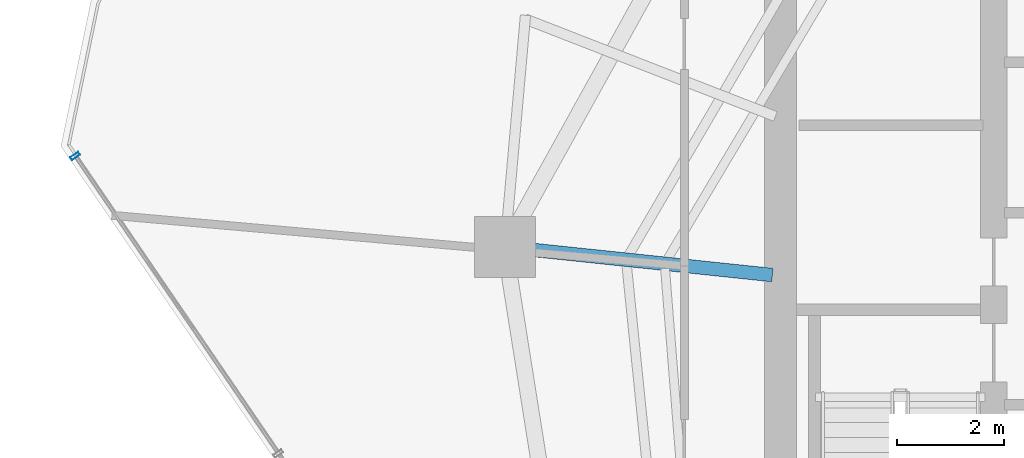
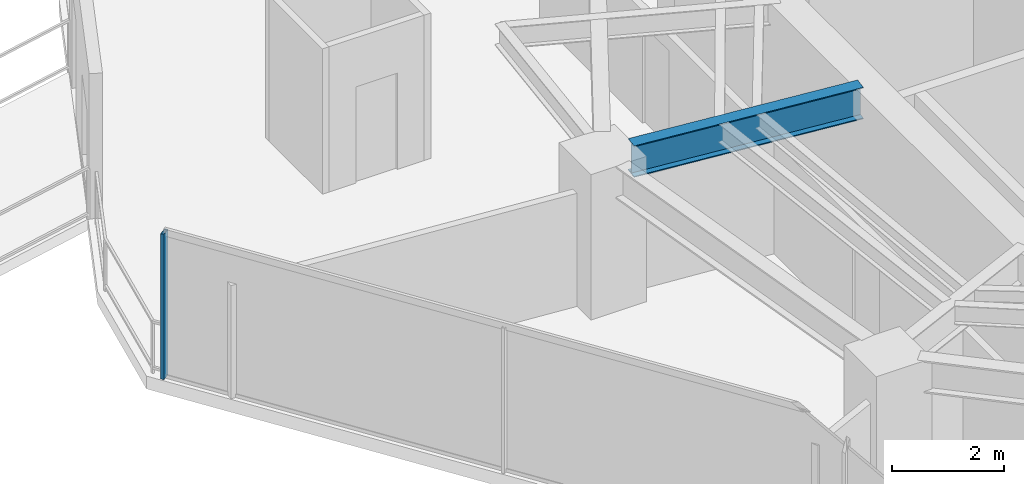
# One storey, part 8 of 30: 1 beam, 1 member, 1 element without a shape of its own.
"""IFC4 building model written with IfcOpenShell, lengths in metres."""

from ifc_helpers import new_model, si_unit, direction, frame, origin, origin_2d, place, context, subcontext, project, spatial, hollow_rectangle, i_section, extrude, material, layer, layer_set, material_profile, profile_set, type_object, element, aggregate, save


model = new_model("IFC4")

# Units and contexts
model_context = context("Model", 3, precision=1e-05, world=origin(), true_north=direction((0.0, 1.0)))
body_context = subcontext(model_context, "Body", "Model", "MODEL_VIEW")
ifc_project = project(units=[si_unit("LENGTHUNIT", "METRE"), si_unit("AREAUNIT", "SQUARE_METRE"), si_unit("VOLUMEUNIT", "CUBIC_METRE"), si_unit("PLANEANGLEUNIT", "RADIAN"), si_unit("MASSUNIT", "GRAM", prefix="KILO")], contexts=[model_context])

# Site, building, storey
site_placement = place(None, origin())
site = spatial("IfcSite", under=ifc_project, at=site_placement, CompositionType="ELEMENT")
building_placement = place(site_placement, origin())
building = spatial("IfcBuilding", under=site, at=building_placement, Name="Qarnah Convention Tower", CompositionType="ELEMENT")
storey_placement = place(building_placement, frame((0.0, 0.0, 83.25)))
storey = spatial("IfcBuildingStorey", under=building, at=storey_placement, Name="L21", CompositionType="ELEMENT", Elevation=83.25)

# Beam
ifc_material_1 = material(Name="Structural steel S355JR", Category="steel")
ifc_material_profile_1 = material_profile(ifc_material_1, i_section(OverallWidth=0.25390625, OverallDepth=0.68798828125, WebThickness=0.012939453125, FlangeThickness=0.02099609375, at=origin_2d()), Name="W690X152")
ifc_profile_set_1 = profile_set([ifc_material_profile_1], Name="Structural steel S355JR")
beam_type = type_object("IfcBeamType", Name="BM-RAD-W690", PredefinedType="BEAM", material=ifc_profile_set_1)
beam_placement = place(storey_placement, frame((26.65087890625, 27.509033203125, 2.825927734375), z_axis=(-0.994523622606, 0.104512028393, 0.0), x_axis=(-0.104512028393, -0.994523622606, 0.0)))
element("IfcBeam", 1, at=beam_placement, inside=storey, type_object=beam_type, Name="L21 beam BM-L21-RAD-05", PredefinedType="BEAM", context=body_context, shape_type="SweptSolid", body=[
    extrude(i_section(OverallWidth=0.25390625, OverallDepth=0.68798828125, WebThickness=0.012939453125, FlangeThickness=0.02099609375, at=origin_2d()), origin(), (0.0, 0.0, 1.0), 4.487548828125),
])

# Curtain wall, member
ifc_material_2 = material(Name="Tempered Low-E dark glass", Category="glass")
ifc_layer = layer(ifc_material_2, 0.169921875)
ifc_layer_set = layer_set([ifc_layer], Name="Tempered Low-E dark glass")
curtain_wall_type = type_object("IfcCurtainWallType", Name="CWS-02", PredefinedType="NOTDEFINED", material=ifc_layer_set)
curtain_wall_placement = place(storey_placement, origin())
curtain_wall = element("IfcCurtainWall", 2, at=curtain_wall_placement, inside=storey, type_object=curtain_wall_type, Name="L21 unitised curtain wall CW-L21-F3", PredefinedType="NOTDEFINED")
ifc_material_3 = material(Name="Black anodised aluminium", Category="aluminium")
ifc_material_profile_2 = material_profile(ifc_material_3, hollow_rectangle(XDim=0.06494140625, YDim=0.179931640625, WallThickness=0.00390625, at=origin_2d()), Name="MUL-65X180")
ifc_profile_set_2 = profile_set([ifc_material_profile_2], Name="Black anodised aluminium")
member_type = type_object("IfcMemberType", Name="MUL-T2", PredefinedType="MULLION", material=ifc_profile_set_2)
member_placement = place(storey_placement, frame((13.576904296875, 29.742919921875, 0.0), z_axis=(0.0, 0.0, 1.0), x_axis=(-0.563812474561, 0.825902835404, 0.0)))
member = element("IfcMember", 3, at=member_placement, type_object=member_type, Name="CW-L21-F3 mullion 6", PredefinedType="MULLION", context=body_context, shape_type="SweptSolid", body=[
    extrude(hollow_rectangle(XDim=0.06494140625, YDim=0.179931640625, WallThickness=0.00390625, at=origin_2d()), origin(), (0.0, 0.0, 1.0), 3.169921875),
])
aggregate(curtain_wall, [member])

save(model, "model.ifc")
